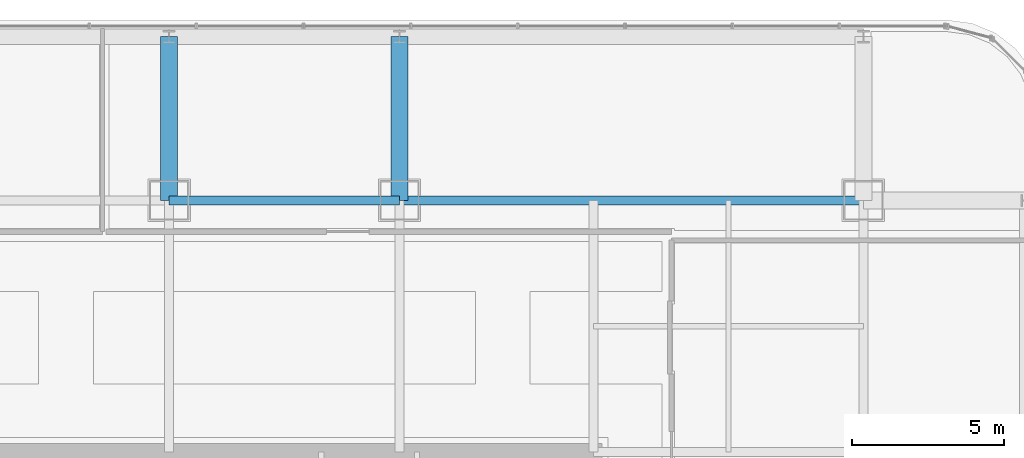
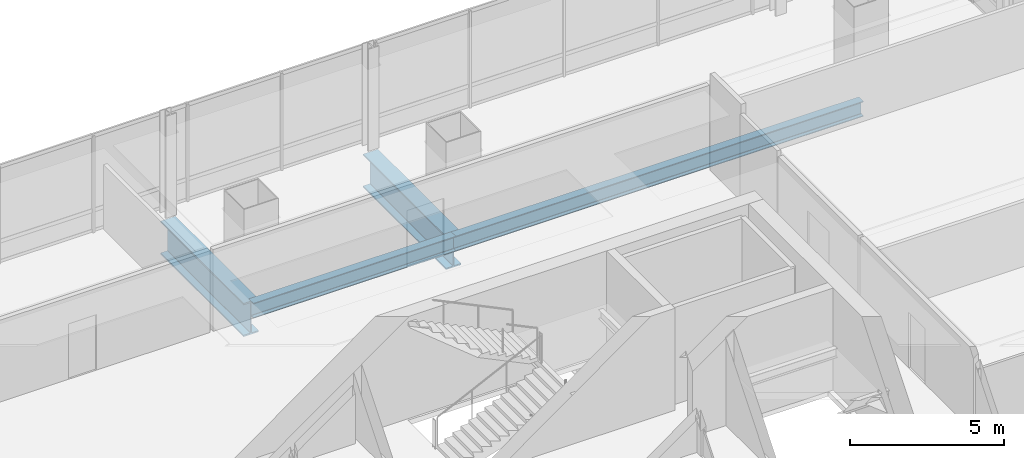
# One storey, part 26 of 42: 4 beams.
"""IFC4 building model written with IfcOpenShell, lengths in metres."""

from ifc_helpers import new_model, si_unit, direction, frame, origin, origin_2d, place, context, subcontext, project, spatial, i_section, extrude, material, material_profile, profile_set, type_object, element, save


model = new_model("IFC4")

# Units and contexts
model_context = context("Model", 3, precision=1e-05, world=origin(), true_north=direction((0.0, 1.0)))
body_context = subcontext(model_context, "Body", "Model", "MODEL_VIEW")
ifc_project = project(units=[si_unit("LENGTHUNIT", "METRE"), si_unit("AREAUNIT", "SQUARE_METRE"), si_unit("VOLUMEUNIT", "CUBIC_METRE"), si_unit("PLANEANGLEUNIT", "RADIAN"), si_unit("MASSUNIT", "GRAM", prefix="KILO")], contexts=[model_context])

# Site, building, storey
site_placement = place(None, origin())
site = spatial("IfcSite", under=ifc_project, at=site_placement, CompositionType="ELEMENT")
building_placement = place(site_placement, origin())
building = spatial("IfcBuilding", under=site, at=building_placement, Name="Punatoya Terracotta Tower", CompositionType="ELEMENT")
storey_placement = place(building_placement, frame((0.0, 0.0, 263.550048828125)))
storey = spatial("IfcBuildingStorey", under=building, at=storey_placement, Name="L62", CompositionType="ELEMENT", Elevation=263.550048828125)

# Beams
ifc_material_1 = material(Name="Steel S355", Category="steel")
ifc_material_profile_1 = material_profile(ifc_material_1, i_section(OverallWidth=0.300048828125, OverallDepth=0.60009765625, WebThickness=0.015380859375, FlangeThickness=0.030029296875, FilletRadius=0.01806640625, at=origin_2d()))
ifc_profile_set_1 = profile_set([ifc_material_profile_1], Name="Steel S355")
beam_type_1 = type_object("IfcBeamType", Name="BM-PRI-600", PredefinedType="BEAM", material=ifc_profile_set_1)
beam_1_placement = place(storey_placement, frame((-3.800048828125, 17.5, -0.5), z_axis=(1.0, 0.0, 0.0), x_axis=(0.0, 1.0, 0.0)))
element("IfcBeam", 1, at=beam_1_placement, inside=storey, type_object=beam_type_1, Name="BM-L62-RG-N2", PredefinedType="BEAM", context=body_context, shape_type="SweptSolid", body=[
    extrude(i_section(OverallWidth=0.300048828125, OverallDepth=0.60009765625, WebThickness=0.015380859375, FlangeThickness=0.030029296875, FilletRadius=0.01806640625, at=origin_2d()), origin(), (0.0, 0.0, 1.0), 7.60009765625),
])
beam_2_placement = place(storey_placement, frame((3.800048828125, 17.5, -0.5), z_axis=(1.0, 0.0, 0.0), x_axis=(0.0, 1.0, 0.0)))
element("IfcBeam", 2, at=beam_2_placement, inside=storey, type_object=beam_type_1, Name="BM-L62-RG-N3", PredefinedType="BEAM", context=body_context, shape_type="SweptSolid", body=[
    extrude(i_section(OverallWidth=0.300048828125, OverallDepth=0.60009765625, WebThickness=0.015380859375, FlangeThickness=0.030029296875, FilletRadius=0.01806640625, at=origin_2d()), origin(), (0.0, 0.0, 1.0), 15.300048828125),
])
ifc_material_2 = material(Name="Steel S460", Category="steel")
ifc_material_profile_2 = material_profile(ifc_material_2, i_section(OverallWidth=0.56005859375, OverallDepth=1.320068359375, WebThickness=0.035888671875, FlangeThickness=0.054931640625, FilletRadius=0.01806640625, at=origin_2d()))
ifc_profile_set_2 = profile_set([ifc_material_profile_2], Name="Steel S460")
beam_type_2 = type_object("IfcBeamType", Name="BM-TG-BLK", PredefinedType="BEAM", material=ifc_profile_set_2)
for number, where, z_axis, x_axis, name in (
    (3, (-3.800048828125, 17.5, -0.860107421875), (0.0, 1.0, 0.0), (-1.0, 0.0, 0.0), "BM-L62-CANT-N2"),
    (4, (3.800048828125, 17.5, -0.860107421875), (0.0, 1.0, 0.0), (-1.0, 0.0, 0.0), "BM-L62-CANT-N3"),
):
    element("IfcBeam", number, at=place(storey_placement, frame(where, z_axis=z_axis, x_axis=x_axis)), inside=storey, type_object=beam_type_2, Name=name, PredefinedType="BEAM", context=body_context, shape_type="SweptSolid", body=[
        extrude(i_section(OverallWidth=0.56005859375, OverallDepth=1.320068359375, WebThickness=0.035888671875, FlangeThickness=0.054931640625, FilletRadius=0.01806640625, at=origin_2d()), origin(), (0.0, 0.0, 1.0), 5.39990234375),
    ])

save(model, "model.ifc")
